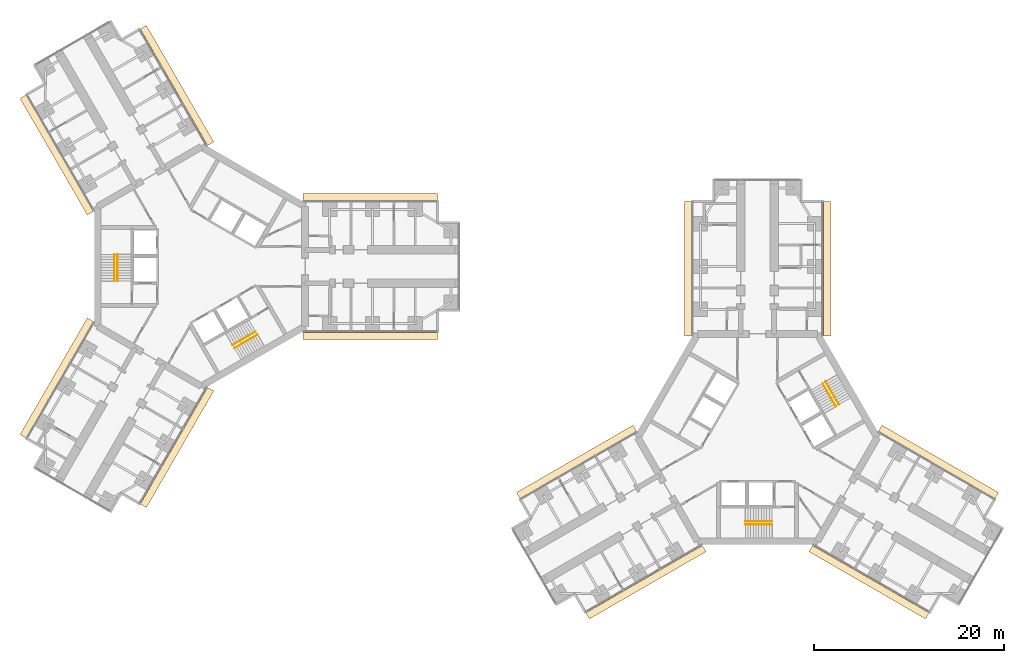
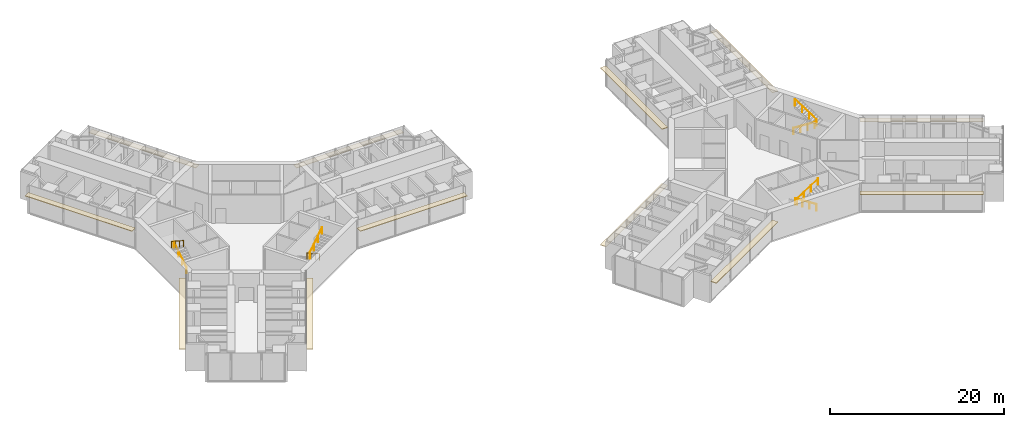
# One storey, part 22 of 22: 12 coverings, 8 railings.
"""IFC4 building model written with IfcOpenShell, lengths in metres."""

from ifc_helpers import new_model, si_unit, direction, frame, origin, origin_2d, place, context, subcontext, project, spatial, rectangle, circle, extrude, material, layer, layer_set, type_object, element, save


model = new_model("IFC4")

# Units and contexts
model_context = context("Model", 3, precision=1e-05, world=origin(), true_north=direction((0.0, 1.0)))
body_context = subcontext(model_context, "Body", "Model", "MODEL_VIEW")
ifc_project = project(units=[si_unit("LENGTHUNIT", "METRE"), si_unit("AREAUNIT", "SQUARE_METRE"), si_unit("VOLUMEUNIT", "CUBIC_METRE"), si_unit("PLANEANGLEUNIT", "RADIAN"), si_unit("MASSUNIT", "GRAM", prefix="KILO")], contexts=[model_context])

# Site, building, storey
site_placement = place(None, origin())
site = spatial("IfcSite", under=ifc_project, at=site_placement, CompositionType="ELEMENT")
building_placement = place(site_placement, origin())
building = spatial("IfcBuilding", under=site, at=building_placement, Name="Upepo Twin Towers", CompositionType="ELEMENT")
storey_placement = place(building_placement, frame((0.0, 0.0, 36.5)))
storey = spatial("IfcBuildingStorey", under=building, at=storey_placement, Name="L08", CompositionType="ELEMENT", Elevation=36.5)

# Coverings
ifc_material_1 = material(Name="Anodised aluminium, pale silver", Category="aluminium")
ifc_layer = layer(ifc_material_1, 0.080078125)
ifc_layer_set = layer_set([ifc_layer], Name="Brise-soleil blade 750 pale aluminium")
covering_type = type_object("IfcCoveringType", Name="Brise-soleil blade 750 pale aluminium", PredefinedType="USERDEFINED", material=ifc_layer_set)
for number, where, z_axis, x_axis, name in (
    (1, (17.7685546875, 7.304931640625, 2.909912109375), (0.0, 0.0, 1.0), (1.0, 0.0, 0.0), "T1 L08 wing A brise-soleil L"),
    (2, (17.7685546875, -7.304931640625, 2.909912109375), (0.0, 0.0, 1.0), (1.0, 0.0, 0.0), "T1 L08 wing A brise-soleil R"),
    (3, (-15.210693359375, 11.735595703125, 2.909912109375), (0.0, 0.0, 1.0), (-0.50000003023, 0.866025386331, 0.0), "T1 L08 wing B brise-soleil L"),
    (4, (-2.557861328125, 19.04052734375, 2.909912109375), (0.0, 0.0, 1.0), (-0.49999996977, 0.866025421238, 0.0), "T1 L08 wing B brise-soleil R"),
    (5, (-2.557861328125, -19.04052734375, 2.909912109375), (0.0, 0.0, 1.0), (-0.49999996977, -0.866025421238, 0.0), "T1 L08 wing C brise-soleil L"),
    (6, (-15.210693359375, -11.735595703125, 2.909912109375), (0.0, 0.0, 1.0), (-0.50000003023, -0.866025386331, 0.0), "T1 L08 wing C brise-soleil R"),
    (7, (51.195068359375, -0.2314453125, 2.909912109375), (0.0, 0.0, 1.0), (0.0, 1.0, 0.0), "T2 L08 wing A brise-soleil L"),
    (8, (65.804931640625, -0.2314453125, 2.909912109375), (0.0, 0.0, 1.0), (0.0, 1.0, 0.0), "T2 L08 wing A brise-soleil R"),
    (9, (46.764404296875, -33.210693359375, 2.909912109375), (0.0, 0.0, 1.0), (-0.866025386331, -0.50000003023, 0.0), "T2 L08 wing B brise-soleil L"),
    (10, (39.45947265625, -20.557861328125, 2.909912109375), (0.0, 0.0, 1.0), (-0.866025421238, -0.49999996977, 0.0), "T2 L08 wing B brise-soleil R"),
    (11, (77.54052734375, -20.557861328125, 2.909912109375), (0.0, 0.0, 1.0), (0.866025421238, -0.49999996977, 0.0), "T2 L08 wing C brise-soleil L"),
    (12, (70.235595703125, -33.210693359375, 2.909912109375), (0.0, 0.0, 1.0), (0.866025386331, -0.50000003023, 0.0), "T2 L08 wing C brise-soleil R"),
):
    element("IfcCovering", number, at=place(storey_placement, frame(where, z_axis=z_axis, x_axis=x_axis)), inside=storey, type_object=covering_type, Name=name, ObjectType="SUNSHADE", PredefinedType="USERDEFINED", context=body_context, shape_type="SweptSolid", body=[
        extrude(rectangle(XDim=14.162841796875, YDim=0.75, at=origin_2d()), origin(), (0.0, 0.0, 1.0), 0.080078125),
    ])

# Railings
ifc_material_2 = material(Name="Stainless steel", Category="steel")
railing_type = type_object("IfcRailingType", Name="Stair handrail 900", PredefinedType="HANDRAIL", material=ifc_material_2)
railing_1_placement = place(storey_placement, frame((-8.800048828125, -1.52001953125, 0.181884765625)))
element("IfcRailing", 13, at=railing_1_placement, inside=storey, type_object=railing_type, Name="T1 stair S1 L08 handrail 1", PredefinedType="HANDRAIL", context=body_context, shape_type="SweptSolid", body=[
    extrude(circle(Radius=0.02392578125, at=origin_2d()), frame((0.0, 0.0, 0.8759765625), z_axis=(0.0, 0.838705829183, 0.544584733623), x_axis=(-1.0, 0.0, 0.0)), (0.0, 0.0, 1.0), 3.338623046875),
    extrude(circle(Radius=0.02099609375, at=origin_2d()), origin(), (0.0, 0.0, 1.0), 0.851806640625),
    extrude(circle(Radius=0.02099609375, at=origin_2d()), frame((0.0, 0.933349609375, 0.60595703125)), (0.0, 0.0, 1.0), 0.851806640625),
    extrude(circle(Radius=0.02099609375, at=origin_2d()), frame((0.0, 1.86669921875, 1.212158203125)), (0.0, 0.0, 1.0), 0.851806640625),
    extrude(circle(Radius=0.02099609375, at=origin_2d()), frame((0.0, 2.800048828125, 1.818115234375)), (0.0, 0.0, 1.0), 0.851806640625),
])
railing_2_placement = place(storey_placement, frame((-9.158447265625, 1.280029296875, 2.181884765625)))
element("IfcRailing", 14, at=railing_2_placement, inside=storey, type_object=railing_type, Name="T1 stair S1 L08 handrail 2", PredefinedType="HANDRAIL", context=body_context, shape_type="SweptSolid", body=[
    extrude(circle(Radius=0.02392578125, at=origin_2d()), frame((0.0, 0.0, 0.8759765625), z_axis=(0.0, -0.838705829183, 0.544584733623), x_axis=(1.0, 0.0, 0.0)), (0.0, 0.0, 1.0), 3.338623046875),
    extrude(circle(Radius=0.02099609375, at=origin_2d()), origin(), (0.0, 0.0, 1.0), 0.851806640625),
    extrude(circle(Radius=0.02099609375, at=origin_2d()), frame((0.0, -0.933349609375, 0.60595703125)), (0.0, 0.0, 1.0), 0.851806640625),
    extrude(circle(Radius=0.02099609375, at=origin_2d()), frame((0.0, -1.86669921875, 1.212158203125)), (0.0, 0.0, 1.0), 0.851806640625),
    extrude(circle(Radius=0.02099609375, at=origin_2d()), frame((0.0, -2.800048828125, 1.818115234375)), (0.0, 0.0, 1.0), 0.851806640625),
])
railing_3_placement = place(storey_placement, frame((5.71630859375, -6.861083984375, 0.181884765625)))
element("IfcRailing", 15, at=railing_3_placement, inside=storey, type_object=railing_type, Name="T1 stair S2 L08 handrail 1", PredefinedType="HANDRAIL", context=body_context, shape_type="SweptSolid", body=[
    extrude(circle(Radius=0.02392578125, at=origin_2d()), frame((0.0, 0.0, 0.8759765625), z_axis=(-0.726336304947, -0.419332699614, 0.544605966869), x_axis=(0.49998411664, -0.866034573852, 0.0)), (0.0, 0.0, 1.0), 3.33837890625),
    extrude(circle(Radius=0.02099609375, at=origin_2d()), origin(), (0.0, 0.0, 1.0), 0.851806640625),
    extrude(circle(Radius=0.02099609375, at=origin_2d()), frame((-0.808349609375, -0.466552734375, 0.60595703125)), (0.0, 0.0, 1.0), 0.851806640625),
    extrude(circle(Radius=0.02099609375, at=origin_2d()), frame((-1.616455078125, -0.933349609375, 1.212158203125)), (0.0, 0.0, 1.0), 0.851806640625),
    extrude(circle(Radius=0.02099609375, at=origin_2d()), frame((-2.4248046875, -1.39990234375, 1.818115234375)), (0.0, 0.0, 1.0), 0.851806640625),
])
railing_4_placement = place(storey_placement, frame((3.470703125, -8.5712890625, 2.181884765625)))
element("IfcRailing", 16, at=railing_4_placement, inside=storey, type_object=railing_type, Name="T1 stair S2 L08 handrail 2", PredefinedType="HANDRAIL", context=body_context, shape_type="SweptSolid", body=[
    extrude(circle(Radius=0.02392578125, at=origin_2d()), frame((0.0, 0.0, 0.8759765625), z_axis=(0.726336304947, 0.419332699614, 0.544605966869), x_axis=(-0.49998411664, 0.866034573852, 0.0)), (0.0, 0.0, 1.0), 3.33837890625),
    extrude(circle(Radius=0.02099609375, at=origin_2d()), origin(), (0.0, 0.0, 1.0), 0.851806640625),
    extrude(circle(Radius=0.02099609375, at=origin_2d()), frame((0.808349609375, 0.466552734375, 0.60595703125)), (0.0, 0.0, 1.0), 0.851806640625),
    extrude(circle(Radius=0.02099609375, at=origin_2d()), frame((1.616455078125, 0.933349609375, 1.212158203125)), (0.0, 0.0, 1.0), 0.851806640625),
    extrude(circle(Radius=0.02099609375, at=origin_2d()), frame((2.4248046875, 1.39990234375, 1.818115234375)), (0.0, 0.0, 1.0), 0.851806640625),
])
railing_5_placement = place(storey_placement, frame((60.02001953125, -26.800048828125, 0.181884765625)))
element("IfcRailing", 17, at=railing_5_placement, inside=storey, type_object=railing_type, Name="T2 stair S1 L08 handrail 1", PredefinedType="HANDRAIL", context=body_context, shape_type="SweptSolid", body=[
    extrude(circle(Radius=0.02392578125, at=origin_2d()), frame((0.0, 0.0, 0.8759765625), z_axis=(-0.838705829183, 0.0, 0.544584733623), x_axis=(0.0, -1.0, 0.0)), (0.0, 0.0, 1.0), 3.338623046875),
    extrude(circle(Radius=0.02099609375, at=origin_2d()), origin(), (0.0, 0.0, 1.0), 0.851806640625),
    extrude(circle(Radius=0.02099609375, at=origin_2d()), frame((-0.933349609375, 0.0, 0.60595703125)), (0.0, 0.0, 1.0), 0.851806640625),
    extrude(circle(Radius=0.02099609375, at=origin_2d()), frame((-1.86669921875, 0.0, 1.212158203125)), (0.0, 0.0, 1.0), 0.851806640625),
    extrude(circle(Radius=0.02099609375, at=origin_2d()), frame((-2.800048828125, 0.0, 1.818115234375)), (0.0, 0.0, 1.0), 0.851806640625),
])
railing_6_placement = place(storey_placement, frame((57.219970703125, -27.158447265625, 2.181884765625)))
element("IfcRailing", 18, at=railing_6_placement, inside=storey, type_object=railing_type, Name="T2 stair S1 L08 handrail 2", PredefinedType="HANDRAIL", context=body_context, shape_type="SweptSolid", body=[
    extrude(circle(Radius=0.02392578125, at=origin_2d()), frame((0.0, 0.0, 0.8759765625), z_axis=(0.838705829183, 0.0, 0.544584733623), x_axis=(0.0, 1.0, 0.0)), (0.0, 0.0, 1.0), 3.338623046875),
    extrude(circle(Radius=0.02099609375, at=origin_2d()), origin(), (0.0, 0.0, 1.0), 0.851806640625),
    extrude(circle(Radius=0.02099609375, at=origin_2d()), frame((0.933349609375, 0.0, 0.60595703125)), (0.0, 0.0, 1.0), 0.851806640625),
    extrude(circle(Radius=0.02099609375, at=origin_2d()), frame((1.86669921875, 0.0, 1.212158203125)), (0.0, 0.0, 1.0), 0.851806640625),
    extrude(circle(Radius=0.02099609375, at=origin_2d()), frame((2.800048828125, 0.0, 1.818115234375)), (0.0, 0.0, 1.0), 0.851806640625),
])
railing_7_placement = place(storey_placement, frame((65.361083984375, -12.28369140625, 0.181884765625)))
element("IfcRailing", 19, at=railing_7_placement, inside=storey, type_object=railing_type, Name="T2 stair S2 L08 handrail 1", PredefinedType="HANDRAIL", context=body_context, shape_type="SweptSolid", body=[
    extrude(circle(Radius=0.02392578125, at=origin_2d()), frame((0.0, 0.0, 0.8759765625), z_axis=(0.419332699614, -0.726336304947, 0.544605966869), x_axis=(0.866034573852, 0.49998411664, 0.0)), (0.0, 0.0, 1.0), 3.33837890625),
    extrude(circle(Radius=0.02099609375, at=origin_2d()), origin(), (0.0, 0.0, 1.0), 0.851806640625),
    extrude(circle(Radius=0.02099609375, at=origin_2d()), frame((0.466552734375, -0.808349609375, 0.60595703125)), (0.0, 0.0, 1.0), 0.851806640625),
    extrude(circle(Radius=0.02099609375, at=origin_2d()), frame((0.933349609375, -1.616455078125, 1.212158203125)), (0.0, 0.0, 1.0), 0.851806640625),
    extrude(circle(Radius=0.02099609375, at=origin_2d()), frame((1.39990234375, -2.4248046875, 1.818115234375)), (0.0, 0.0, 1.0), 0.851806640625),
])
railing_8_placement = place(storey_placement, frame((67.0712890625, -14.529296875, 2.181884765625)))
element("IfcRailing", 20, at=railing_8_placement, inside=storey, type_object=railing_type, Name="T2 stair S2 L08 handrail 2", PredefinedType="HANDRAIL", context=body_context, shape_type="SweptSolid", body=[
    extrude(circle(Radius=0.02392578125, at=origin_2d()), frame((0.0, 0.0, 0.8759765625), z_axis=(-0.419332699614, 0.726336304947, 0.544605966869), x_axis=(-0.866034573852, -0.49998411664, 0.0)), (0.0, 0.0, 1.0), 3.33837890625),
    extrude(circle(Radius=0.02099609375, at=origin_2d()), origin(), (0.0, 0.0, 1.0), 0.851806640625),
    extrude(circle(Radius=0.02099609375, at=origin_2d()), frame((-0.466552734375, 0.808349609375, 0.60595703125)), (0.0, 0.0, 1.0), 0.851806640625),
    extrude(circle(Radius=0.02099609375, at=origin_2d()), frame((-0.933349609375, 1.616455078125, 1.212158203125)), (0.0, 0.0, 1.0), 0.851806640625),
    extrude(circle(Radius=0.02099609375, at=origin_2d()), frame((-1.39990234375, 2.4248046875, 1.818115234375)), (0.0, 0.0, 1.0), 0.851806640625),
])

save(model, "model.ifc")
